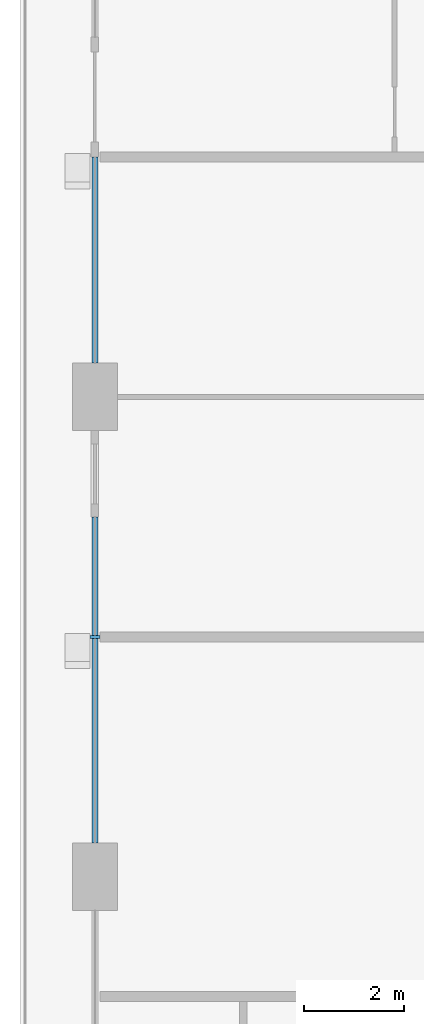
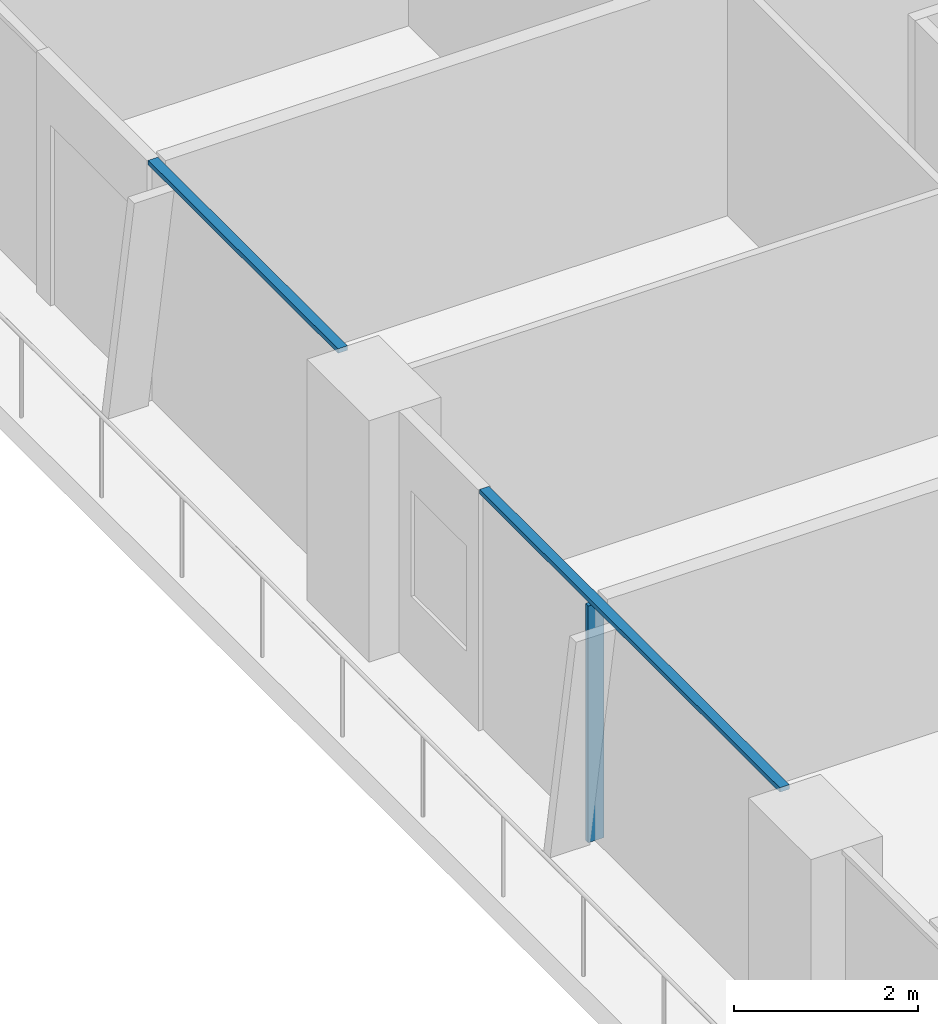
# One storey, part 3 of 21: 3 members, 2 elements without a shape of their own.
"""IFC4 building model written with IfcOpenShell, lengths in metres."""

from ifc_helpers import new_model, si_unit, direction, frame, origin, origin_2d, place, context, subcontext, project, spatial, rectangle, extrude, material, layer, layer_set, material_profile, profile_set, type_object, element, aggregate, save


model = new_model("IFC4")

# Units and contexts
model_context = context("Model", 3, precision=1e-05, world=origin(), true_north=direction((0.0, 1.0)))
body_context = subcontext(model_context, "Body", "Model", "MODEL_VIEW")
ifc_project = project(units=[si_unit("LENGTHUNIT", "METRE"), si_unit("AREAUNIT", "SQUARE_METRE"), si_unit("VOLUMEUNIT", "CUBIC_METRE"), si_unit("PLANEANGLEUNIT", "RADIAN"), si_unit("MASSUNIT", "GRAM", prefix="KILO")], contexts=[model_context])

# Site, building, storey
site_placement = place(None, origin())
site = spatial("IfcSite", under=ifc_project, at=site_placement, CompositionType="ELEMENT")
building_placement = place(site_placement, origin())
building = spatial("IfcBuilding", under=site, at=building_placement, Name="Madar Terraces", CompositionType="ELEMENT")
storey_placement = place(building_placement, frame((0.0, 0.0, 46.89990234375)))
storey = spatial("IfcBuildingStorey", under=building, at=storey_placement, Name="L11", CompositionType="ELEMENT", Elevation=46.89990234375)

# Curtain wall, member
ifc_material_1 = material(Name="Glass, ceramic frit dark grey, with black aluminium frame", Category="aluminium")
ifc_layer = layer(ifc_material_1, 0.199951171875)
ifc_layer_set = layer_set([ifc_layer], Name="Facade curtain wall, fritted glass")
curtain_wall_type = type_object("IfcCurtainWallType", Name="Facade curtain wall, fritted glass", PredefinedType="NOTDEFINED", material=ifc_layer_set)
curtain_wall_1_placement = place(storey_placement, origin())
curtain_wall_1 = element("IfcCurtainWall", 1, at=curtain_wall_1_placement, inside=storey, type_object=curtain_wall_type, Name="Outer skin curtain wall west bay 3", PredefinedType="NOTDEFINED")
ifc_material_2 = material(Name="Aluminium, black anodised", Category="aluminium")
ifc_material_profile_1 = material_profile(ifc_material_2, rectangle(XDim=0.199951171875, YDim=0.06005859375, at=origin_2d()), Name="Facade mullion 60x200")
ifc_profile_set_1 = profile_set([ifc_material_profile_1], Name="Aluminium, black anodised")
member_type_1 = type_object("IfcMemberType", Name="Facade mullion 60x200", PredefinedType="MULLION", material=ifc_profile_set_1)
member_1_placement = place(storey_placement, frame((0.0, 19.199951171875, 0.0), z_axis=(0.0, 0.0, 1.0), x_axis=(1.0, 0.0, 0.0)))
member_1 = element("IfcMember", 2, at=member_1_placement, type_object=member_type_1, Name="Mullion 1", PredefinedType="MULLION", context=body_context, shape_type="SweptSolid", body=[
    extrude(rectangle(XDim=0.199951171875, YDim=0.06005859375, at=origin_2d()), origin(), (0.0, 0.0, 1.0), 3.14013671875),
])

curtain_wall_2_placement = place(storey_placement, origin())
curtain_wall_2 = element("IfcCurtainWall", 3, at=curtain_wall_2_placement, inside=storey, type_object=curtain_wall_type, Name="Outer skin curtain wall west bay 2", PredefinedType="NOTDEFINED")
ifc_material_3 = material(Name="Aluminium, black anodised", Category="aluminium")
ifc_material_profile_2 = material_profile(ifc_material_3, rectangle(XDim=0.1201171875, YDim=0.06005859375, at=origin_2d()), Name="Facade transom 60x120")
ifc_profile_set_2 = profile_set([ifc_material_profile_2], Name="Aluminium, black anodised")
member_type_2 = type_object("IfcMemberType", Name="Facade transom 60x120", PredefinedType="USERDEFINED", material=ifc_profile_set_2)
member_2_placement = place(storey_placement, frame((0.0, 28.800048828125, 3.170166015625), z_axis=(0.0, -1.0, 0.0), x_axis=(1.0, 0.0, 0.0)))
member_2 = element("IfcMember", 4, at=member_2_placement, type_object=member_type_2, Name="Transom 2", ObjectType="TRANSOM", PredefinedType="USERDEFINED", context=body_context, shape_type="SweptSolid", body=[
    extrude(rectangle(XDim=0.1201171875, YDim=0.06005859375, at=origin_2d()), origin(), (0.0, 0.0, 1.0), 4.125),
])
aggregate(curtain_wall_2, [member_2])

# Member
member_3_placement = place(storey_placement, frame((0.0, 21.60009765625, 3.170166015625), z_axis=(0.0, -1.0, 0.0), x_axis=(1.0, 0.0, 0.0)))
member_3 = element("IfcMember", 5, at=member_3_placement, type_object=member_type_2, Name="Transom 1", ObjectType="TRANSOM", PredefinedType="USERDEFINED", context=body_context, shape_type="SweptSolid", body=[
    extrude(rectangle(XDim=0.1201171875, YDim=0.06005859375, at=origin_2d()), origin(), (0.0, 0.0, 1.0), 6.525146484375),
])

aggregate(curtain_wall_1, [member_1, member_3])

save(model, "model.ifc")
